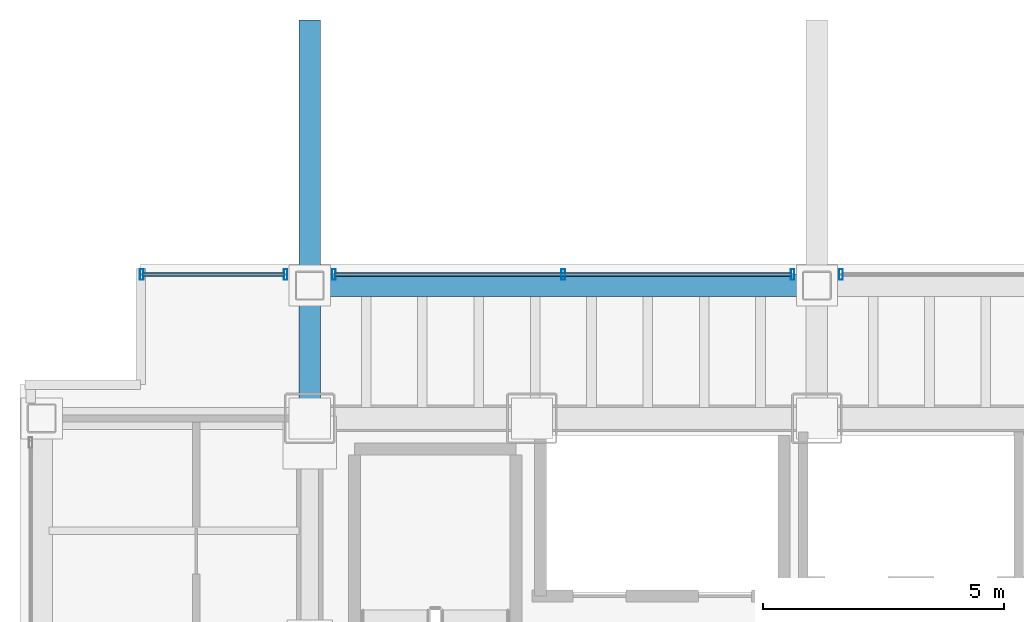
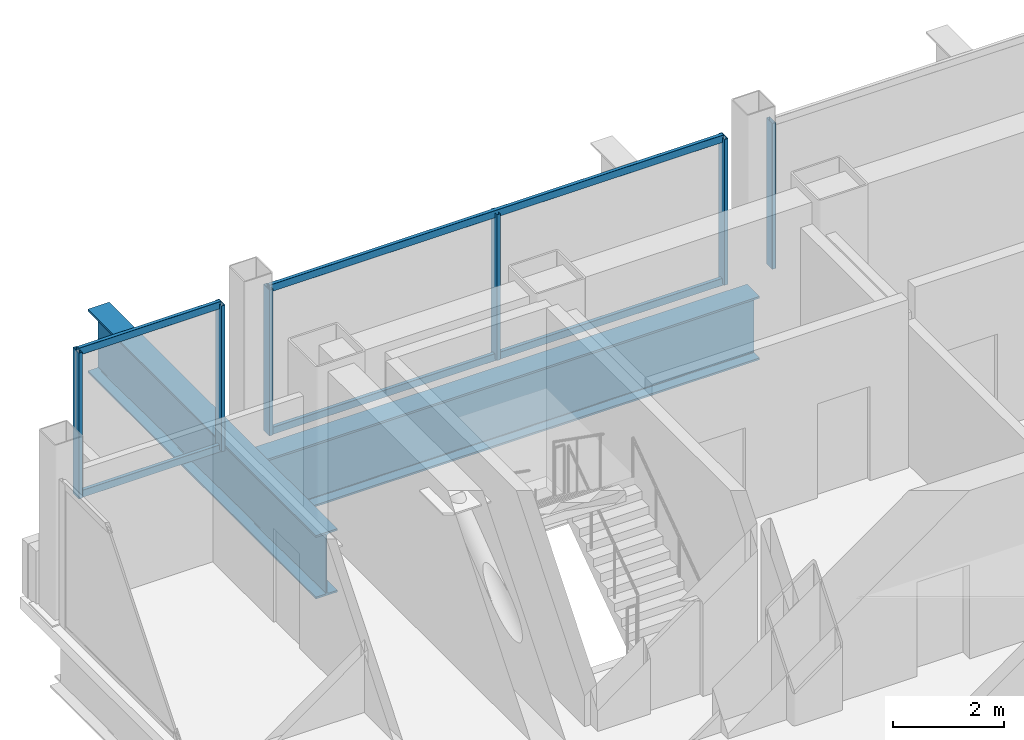
# One storey, part 14 of 21: 10 members, 2 beams, 3 elements without a shape of their own.
"""IFC4 building model written with IfcOpenShell, lengths in metres."""

from ifc_helpers import new_model, si_unit, direction, frame, origin, origin_2d, place, context, subcontext, project, spatial, hollow_rectangle, i_section, extrude, material, material_profile, profile_set, type_object, element, aggregate, save


model = new_model("IFC4")

# Units and contexts
model_context = context("Model", 3, precision=1e-05, world=origin(), true_north=direction((0.0, 1.0)))
body_context = subcontext(model_context, "Body", "Model", "MODEL_VIEW")
ifc_project = project(units=[si_unit("LENGTHUNIT", "METRE"), si_unit("AREAUNIT", "SQUARE_METRE"), si_unit("VOLUMEUNIT", "CUBIC_METRE"), si_unit("PLANEANGLEUNIT", "RADIAN"), si_unit("MASSUNIT", "GRAM", prefix="KILO")], contexts=[model_context])

# Site, building, storey
site_placement = place(None, origin())
site = spatial("IfcSite", under=ifc_project, at=site_placement, CompositionType="ELEMENT")
building_placement = place(site_placement, origin())
building = spatial("IfcBuilding", under=site, at=building_placement, Name="Noeulbin Bourse Tower", CompositionType="ELEMENT")
storey_placement = place(building_placement, frame((0.0, 0.0, 81.10009765625)))
storey = spatial("IfcBuildingStorey", under=building, at=storey_placement, Name="L20", CompositionType="ELEMENT", Elevation=81.10009765625)

# Beams
ifc_material_1 = material(Name="Steel S460", Category="steel")
ifc_material_profile_1 = material_profile(ifc_material_1, i_section(OverallWidth=0.449951171875, OverallDepth=1.39990234375, WebThickness=0.02392578125, FlangeThickness=0.0400390625, FilletRadius=0.02392578125, at=origin_2d()), Name="PG-1400x450x24x40", Category="LoadBearing")
ifc_profile_set_1 = profile_set([ifc_material_profile_1], Name="Steel S460")
beam_type = type_object("IfcBeamType", Name="BM-TRF-1400", PredefinedType="USERDEFINED", material=ifc_profile_set_1)
beam_1_placement = place(storey_placement, frame((13.5, 38.300048828125, -0.940185546875), z_axis=(0.0, 1.0, 0.0), x_axis=(-1.0, 0.0, 0.0)))
element("IfcBeam", 1, at=beam_1_placement, inside=storey, type_object=beam_type, Name="Tower Primary Girder NS L20-1.6", ObjectType="GIRDER", PredefinedType="USERDEFINED", context=body_context, shape_type="SweptSolid", body=[
    extrude(i_section(OverallWidth=0.449951171875, OverallDepth=1.39990234375, WebThickness=0.02392578125, FlangeThickness=0.0400390625, FilletRadius=0.02392578125, at=origin_2d()), origin(), (0.0, 0.0, 1.0), 8.25),
])
beam_2_placement = place(storey_placement, frame((13.5, 41.050048828125, -0.940185546875), z_axis=(1.0, 0.0, 0.0), x_axis=(0.0, 1.0, 0.0)))
element("IfcBeam", 2, at=beam_2_placement, inside=storey, type_object=beam_type, Name="North Spandrel L20-1", ObjectType="GIRDER", PredefinedType="USERDEFINED", context=body_context, shape_type="SweptSolid", body=[
    extrude(i_section(OverallWidth=0.449951171875, OverallDepth=1.39990234375, WebThickness=0.02392578125, FlangeThickness=0.0400390625, FilletRadius=0.02392578125, at=origin_2d()), origin(), (0.0, 0.0, 1.0), 10.5),
])

# Curtain wall, members
ifc_material_2 = material(Name="Dark Solar-Control Double Glazing", Category="glass")
curtain_wall_type = type_object("IfcCurtainWallType", Name="CW-SYS-2", PredefinedType="NOTDEFINED", material=ifc_material_2)
curtain_wall_1_placement = place(storey_placement, origin())
curtain_wall_1 = element("IfcCurtainWall", 3, at=curtain_wall_1_placement, inside=storey, type_object=curtain_wall_type, Name="Unitised Curtain Wall CW-L20-N-S1", PredefinedType="NOTDEFINED")
ifc_material_3 = material(Name="Anodised Aluminium 6063-T6", Category="aluminium")
ifc_material_profile_2 = material_profile(ifc_material_3, hollow_rectangle(XDim=0.074951171875, YDim=0.219970703125, WallThickness=0.0048828125, InnerFilletRadius=0.00244140625, OuterFilletRadius=0.0048828125, at=origin_2d()), Name="ALU-MULL-75x220x5", Category="LoadBearing")
ifc_profile_set_2 = profile_set([ifc_material_profile_2], Name="Anodised Aluminium 6063-T6")
member_type_1 = type_object("IfcMemberType", Name="CW-SYS-2-MUL", PredefinedType="MULLION", material=ifc_profile_set_2)
member_1_placement = place(storey_placement, frame((10.02001953125, 41.280029296875, -0.02001953125), z_axis=(0.0, 0.0, 1.0), x_axis=(1.0, 0.0, 0.0)))
member_1 = element("IfcMember", 4, at=member_1_placement, type_object=member_type_1, Name="Curtain Wall Mullion CW-L20-N-S1-M00", PredefinedType="MULLION", context=body_context, shape_type="SweptSolid", body=[
    extrude(hollow_rectangle(XDim=0.074951171875, YDim=0.219970703125, WallThickness=0.0048828125, InnerFilletRadius=0.00244140625, OuterFilletRadius=0.0048828125, at=origin_2d()), origin(), (0.0, 0.0, 1.0), 3.219970703125),
])
member_2_placement = place(storey_placement, frame((13.0, 41.280029296875, -0.02001953125), z_axis=(0.0, 0.0, 1.0), x_axis=(1.0, 0.0, 0.0)))
member_2 = element("IfcMember", 5, at=member_2_placement, type_object=member_type_1, Name="Curtain Wall Mullion CW-L20-N-S1-M01", PredefinedType="MULLION", context=body_context, shape_type="SweptSolid", body=[
    extrude(hollow_rectangle(XDim=0.074951171875, YDim=0.219970703125, WallThickness=0.0048828125, InnerFilletRadius=0.00244140625, OuterFilletRadius=0.0048828125, at=origin_2d()), origin(), (0.0, 0.0, 1.0), 3.219970703125),
])

curtain_wall_2_placement = place(storey_placement, origin())
curtain_wall_2 = element("IfcCurtainWall", 6, at=curtain_wall_2_placement, inside=storey, type_object=curtain_wall_type, Name="Unitised Curtain Wall CW-L20-N-S2", PredefinedType="NOTDEFINED")
member_3_placement = place(storey_placement, frame((14.0, 41.280029296875, -0.02001953125), z_axis=(0.0, 0.0, 1.0), x_axis=(1.0, 0.0, 0.0)))
member_3 = element("IfcMember", 7, at=member_3_placement, type_object=member_type_1, Name="Curtain Wall Mullion CW-L20-N-S2-M00", PredefinedType="MULLION", context=body_context, shape_type="SweptSolid", body=[
    extrude(hollow_rectangle(XDim=0.074951171875, YDim=0.219970703125, WallThickness=0.0048828125, InnerFilletRadius=0.00244140625, OuterFilletRadius=0.0048828125, at=origin_2d()), origin(), (0.0, 0.0, 1.0), 3.219970703125),
])
member_4_placement = place(storey_placement, frame((18.75, 41.280029296875, -0.02001953125), z_axis=(0.0, 0.0, 1.0), x_axis=(1.0, 0.0, 0.0)))
member_4 = element("IfcMember", 8, at=member_4_placement, type_object=member_type_1, Name="Curtain Wall Mullion CW-L20-N-S2-M01", PredefinedType="MULLION", context=body_context, shape_type="SweptSolid", body=[
    extrude(hollow_rectangle(XDim=0.074951171875, YDim=0.219970703125, WallThickness=0.0048828125, InnerFilletRadius=0.00244140625, OuterFilletRadius=0.0048828125, at=origin_2d()), origin(), (0.0, 0.0, 1.0), 3.219970703125),
])
member_5_placement = place(storey_placement, frame((23.5, 41.280029296875, -0.02001953125), z_axis=(0.0, 0.0, 1.0), x_axis=(1.0, 0.0, 0.0)))
member_5 = element("IfcMember", 9, at=member_5_placement, type_object=member_type_1, Name="Curtain Wall Mullion CW-L20-N-S2-M02", PredefinedType="MULLION", context=body_context, shape_type="SweptSolid", body=[
    extrude(hollow_rectangle(XDim=0.074951171875, YDim=0.219970703125, WallThickness=0.0048828125, InnerFilletRadius=0.00244140625, OuterFilletRadius=0.0048828125, at=origin_2d()), origin(), (0.0, 0.0, 1.0), 3.219970703125),
])

# Curtain wall, member
curtain_wall_3_placement = place(storey_placement, origin())
curtain_wall_3 = element("IfcCurtainWall", 10, at=curtain_wall_3_placement, inside=storey, type_object=curtain_wall_type, Name="Unitised Curtain Wall CW-L20-N-S3", PredefinedType="NOTDEFINED")
member_6_placement = place(storey_placement, frame((24.5, 41.280029296875, -0.02001953125), z_axis=(0.0, 0.0, 1.0), x_axis=(1.0, 0.0, 0.0)))
member_6 = element("IfcMember", 11, at=member_6_placement, type_object=member_type_1, Name="Curtain Wall Mullion CW-L20-N-S3-M00", PredefinedType="MULLION", context=body_context, shape_type="SweptSolid", body=[
    extrude(hollow_rectangle(XDim=0.074951171875, YDim=0.219970703125, WallThickness=0.0048828125, InnerFilletRadius=0.00244140625, OuterFilletRadius=0.0048828125, at=origin_2d()), origin(), (0.0, 0.0, 1.0), 3.219970703125),
])
aggregate(curtain_wall_3, [member_6])

# Member
ifc_material_profile_3 = material_profile(ifc_material_3, hollow_rectangle(XDim=0.074951171875, YDim=0.159912109375, WallThickness=0.0048828125, InnerFilletRadius=0.00244140625, OuterFilletRadius=0.0048828125, at=origin_2d()), Name="ALU-TRAN-75x160x5", Category="LoadBearing")
ifc_profile_set_3 = profile_set([ifc_material_profile_3], Name="Anodised Aluminium 6063-T6")
member_type_2 = type_object("IfcMemberType", Name="CW-SYS-2-TRN", PredefinedType="USERDEFINED", material=ifc_profile_set_3)
member_7_placement = place(storey_placement, frame((10.030029296875, 41.280029296875, 0.010009765625), z_axis=(1.0, 0.0, 0.0), x_axis=(0.0, 1.0, 0.0)))
member_7 = element("IfcMember", 12, at=member_7_placement, type_object=member_type_2, Name="Curtain Wall Transom CW-L20-N-S1-T00", ObjectType="TRANSOM", PredefinedType="USERDEFINED", context=body_context, shape_type="SweptSolid", body=[
    extrude(hollow_rectangle(XDim=0.074951171875, YDim=0.159912109375, WallThickness=0.0048828125, InnerFilletRadius=0.00244140625, OuterFilletRadius=0.0048828125, at=origin_2d()), origin(), (0.0, 0.0, 1.0), 2.9599609375),
])

member_8_placement = place(storey_placement, frame((10.030029296875, 41.280029296875, 3.169921875), z_axis=(1.0, 0.0, 0.0), x_axis=(0.0, 1.0, 0.0)))
member_8 = element("IfcMember", 13, at=member_8_placement, type_object=member_type_2, Name="Curtain Wall Transom CW-L20-N-S1-T01", ObjectType="TRANSOM", PredefinedType="USERDEFINED", context=body_context, shape_type="SweptSolid", body=[
    extrude(hollow_rectangle(XDim=0.074951171875, YDim=0.159912109375, WallThickness=0.0048828125, InnerFilletRadius=0.00244140625, OuterFilletRadius=0.0048828125, at=origin_2d()), origin(), (0.0, 0.0, 1.0), 2.9599609375),
])

aggregate(curtain_wall_1, [member_1, member_2, member_7, member_8])

member_9_placement = place(storey_placement, frame((14.010009765625, 41.280029296875, 0.010009765625), z_axis=(1.0, 0.0, 0.0), x_axis=(0.0, 1.0, 0.0)))
member_9 = element("IfcMember", 14, at=member_9_placement, type_object=member_type_2, Name="Curtain Wall Transom CW-L20-N-S2-T00", ObjectType="TRANSOM", PredefinedType="USERDEFINED", context=body_context, shape_type="SweptSolid", body=[
    extrude(hollow_rectangle(XDim=0.074951171875, YDim=0.159912109375, WallThickness=0.0048828125, InnerFilletRadius=0.00244140625, OuterFilletRadius=0.0048828125, at=origin_2d()), origin(), (0.0, 0.0, 1.0), 9.47998046875),
])

member_10_placement = place(storey_placement, frame((14.010009765625, 41.280029296875, 3.169921875), z_axis=(1.0, 0.0, 0.0), x_axis=(0.0, 1.0, 0.0)))
member_10 = element("IfcMember", 15, at=member_10_placement, type_object=member_type_2, Name="Curtain Wall Transom CW-L20-N-S2-T01", ObjectType="TRANSOM", PredefinedType="USERDEFINED", context=body_context, shape_type="SweptSolid", body=[
    extrude(hollow_rectangle(XDim=0.074951171875, YDim=0.159912109375, WallThickness=0.0048828125, InnerFilletRadius=0.00244140625, OuterFilletRadius=0.0048828125, at=origin_2d()), origin(), (0.0, 0.0, 1.0), 9.47998046875),
])

aggregate(curtain_wall_2, [member_3, member_4, member_5, member_9, member_10])

save(model, "model.ifc")
